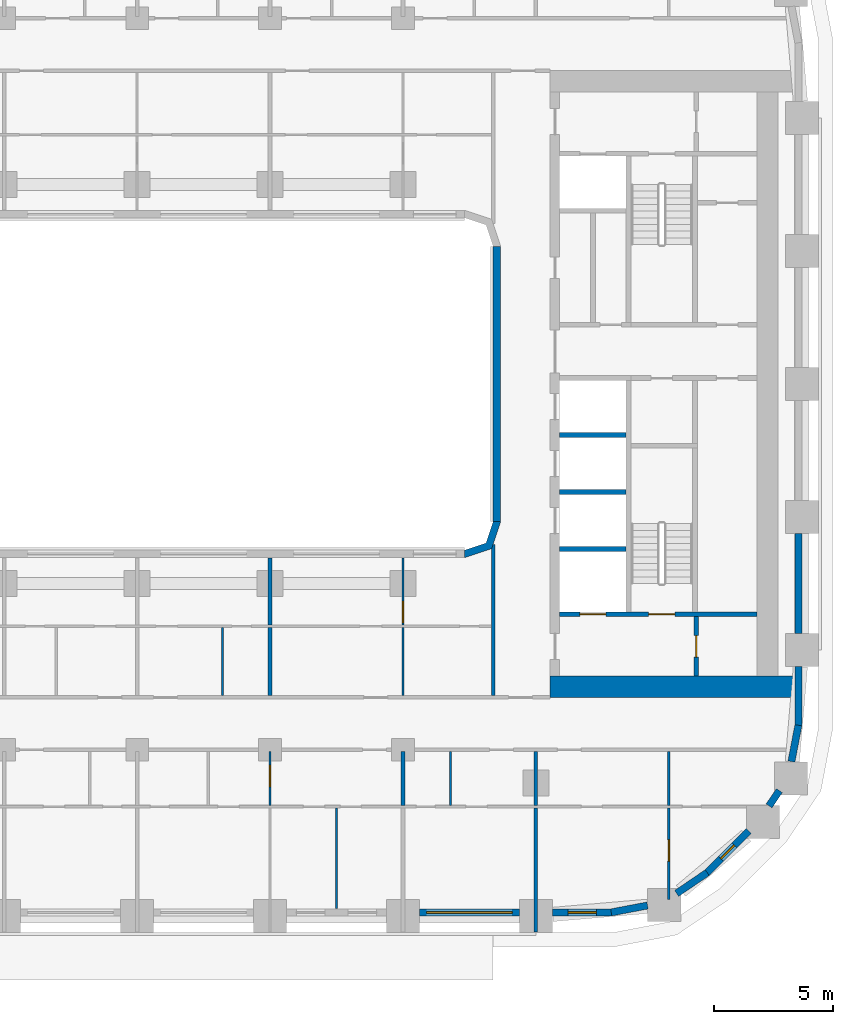
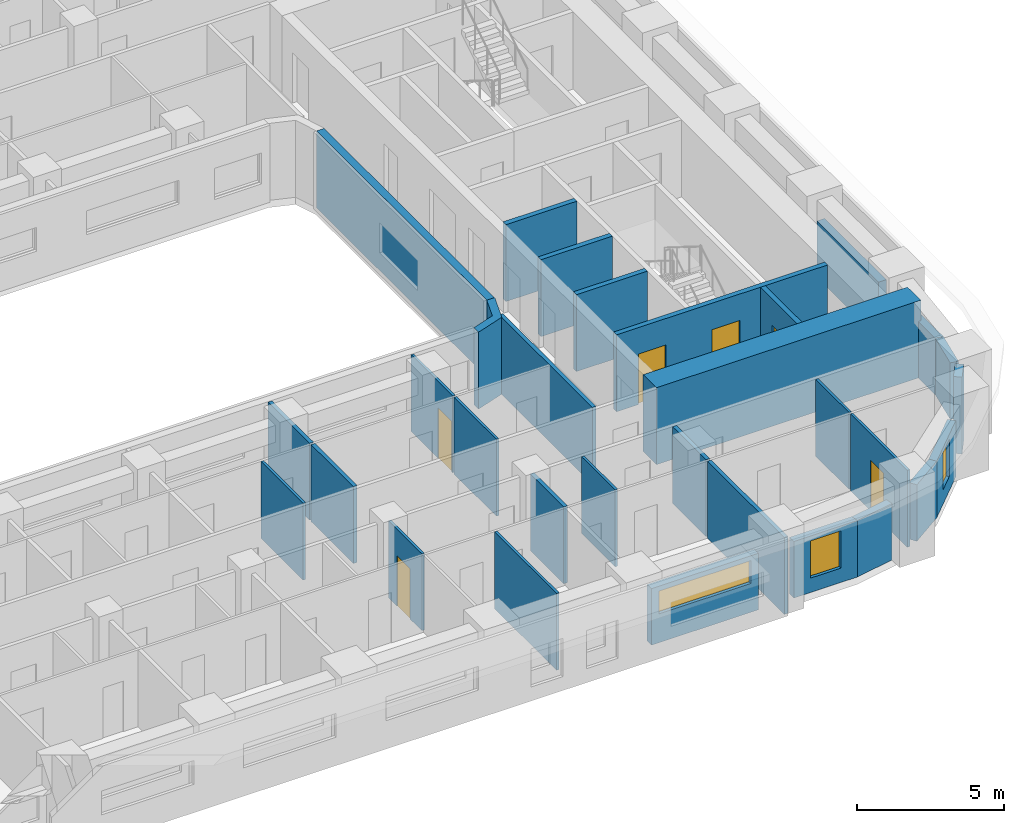
# One storey, part 6 of 22: 31 walls, 6 doors, 3 windows, 9 openings.
"""IFC4 building model written with IfcOpenShell, lengths in metres."""

import ifcopenshell
import ifcopenshell.guid

model = None  # the IFC model being written
_history = None  # IfcOwnerHistory: only IFC2X3 demands one
_inside = {}  # id of a spatial element -> (the spatial element, [elements in it])
_under = {}  # id of a project, library or spatial element -> (it, [spatial elements below it])
_declared = {}  # id of a project -> (the project, [libraries it declares])
_typed = {}  # id of a type object -> (the type object, [elements of that type])
_made_of = {}  # id of a material, layer set ... -> (it, [elements and type objects made of it])


def new_model(schema):
    """Start an empty IFC model of exactly this schema.

    Asked for "IFC4X3", IfcOpenShell would pick the latest addendum, in which some entities
    have other attributes; the version numbers below select the first issue.
    IFC2X3 requires an IfcOwnerHistory on every rooted entity: one is made here for all.
    """
    global model, _history
    if schema == "IFC4X3":
        model = ifcopenshell.file(schema_version=(4, 3, 0, 0))
    else:
        model = ifcopenshell.file(schema=schema)
    _inside.clear()
    _under.clear()
    _declared.clear()
    _typed.clear()
    _made_of.clear()
    _history = None
    if model.schema == "IFC2X3":
        org = make("IfcOrganization", Name="unknown")
        user = make(
            "IfcPersonAndOrganization",
            ThePerson=make("IfcPerson", FamilyName="unknown"),
            TheOrganization=org,
        )
        app = make(
            "IfcApplication",
            ApplicationDeveloper=org,
            Version="unknown",
            ApplicationFullName="unknown",
            ApplicationIdentifier="unknown",
        )
        _history = make(
            "IfcOwnerHistory",
            OwningUser=user,
            OwningApplication=app,
            ChangeAction="ADDED",
            CreationDate=0,
        )
    return model


def make(cls, **values):
    """One entity of the class cls with the attributes given. An attribute that is None is left unset."""
    return model.create_entity(
        cls, **{name: value for name, value in values.items() if value is not None}
    )


def rooted(cls, **values):
    """An entity with a GlobalId (a new one), such as an element, a storey or a relation."""
    return make(cls, GlobalId=ifcopenshell.guid.new(), OwnerHistory=_history, **values)


def si_unit(unit_type, name, prefix=None):
    """IfcSIUnit, for example si_unit("LENGTHUNIT", "METRE", prefix="MILLI")."""
    return make("IfcSIUnit", UnitType=unit_type, Prefix=prefix, Name=name)


def assignment(units):
    """IfcUnitAssignment: the units of a project."""
    return None if units is None else make("IfcUnitAssignment", Units=units)


def point(xyz):
    """IfcCartesianPoint."""
    return None if xyz is None else make("IfcCartesianPoint", Coordinates=xyz)


def direction(xyz):
    """IfcDirection."""
    return None if xyz is None else make("IfcDirection", DirectionRatios=xyz)


def frame(location, z_axis=None, x_axis=None):
    """IfcAxis2Placement3D, a coordinate frame: its origin and axes. An axis left out is left unset."""
    return make(
        "IfcAxis2Placement3D",
        Location=point(location),
        Axis=direction(z_axis),
        RefDirection=direction(x_axis),
    )


def frame_2d(location, x_axis=None):
    """IfcAxis2Placement2D, a coordinate frame in the plane: its origin and x axis."""
    return make(
        "IfcAxis2Placement2D", Location=point(location), RefDirection=direction(x_axis)
    )


def origin():
    """The frame at (0, 0, 0) with its axes left unset."""
    return frame((0.0, 0.0, 0.0))


def place(relative_to, where):
    """IfcLocalPlacement: puts the frame where relative to a parent placement (None: the world)."""
    return make(
        "IfcLocalPlacement", PlacementRelTo=relative_to, RelativePlacement=where
    )


def context(
    kind, dimensions, precision=None, world=None, true_north=None, identifier=None
):
    """IfcGeometricRepresentationContext, for example the 3D "Model" context."""
    return make(
        "IfcGeometricRepresentationContext",
        ContextIdentifier=identifier,
        ContextType=kind,
        CoordinateSpaceDimension=dimensions,
        Precision=precision,
        WorldCoordinateSystem=world,
        TrueNorth=true_north,
    )


def subcontext(parent, identifier, kind, view, scale=None):
    """IfcGeometricRepresentationSubContext, for example "Body" below "Model"."""
    return make(
        "IfcGeometricRepresentationSubContext",
        ContextIdentifier=identifier,
        ContextType=kind,
        ParentContext=parent,
        TargetScale=scale,
        TargetView=view,
    )


def project(units=None, contexts=None):
    """IfcProject with its units and contexts."""
    return rooted(
        "IfcProject",
        Name="project",
        RepresentationContexts=contexts,
        UnitsInContext=assignment(units),
    )


def spatial(cls, under=None, at=None, **own):
    """A site, building, storey or space (cls), placed at a placement, below another one or the project."""
    s = rooted(cls, ObjectPlacement=at, **own)
    if under is not None:
        _under.setdefault(under.id(), (under, []))[1].append(s)
    return s


def polyline(points):
    """IfcPolyline through the points."""
    return make("IfcPolyline", Points=[point(p) for p in points])


def profile(cls, at=None, kind="AREA", **sizes):
    """A parametric profile (cls). Its sizes go by their IFC names, for example OverallWidth=200.0."""
    return make(cls, ProfileType=kind, Position=at, **sizes)


def rectangle(**sizes):
    """IfcRectangleProfileDef."""
    return profile("IfcRectangleProfileDef", **sizes)


def outline(outer, holes=None, kind="AREA"):
    """IfcArbitraryClosedProfileDef: a profile drawn as a closed curve; with holes, ...WithVoids."""
    if holes is None:
        return make("IfcArbitraryClosedProfileDef", ProfileType=kind, OuterCurve=outer)
    return make(
        "IfcArbitraryProfileDefWithVoids",
        ProfileType=kind,
        OuterCurve=outer,
        InnerCurves=holes,
    )


def extrude(swept, where, along, depth):
    """IfcExtrudedAreaSolid: the profile swept, set in the frame where, extruded along a direction by depth."""
    return make(
        "IfcExtrudedAreaSolid",
        SweptArea=swept,
        Position=where,
        ExtrudedDirection=direction(along),
        Depth=depth,
    )


def shape(context_of_items, identifier, shape_type, items):
    """IfcShapeRepresentation: the items that make up one representation, for example the "Body"."""
    return make(
        "IfcShapeRepresentation",
        ContextOfItems=context_of_items,
        RepresentationIdentifier=identifier,
        RepresentationType=shape_type,
        Items=items,
    )


def material(Name=None, Category=None):
    """IfcMaterial."""
    return make("IfcMaterial", Name=Name, Category=Category)


def layer(
    of_material, thickness, ventilated=None, Name=None, Category=None, Priority=None
):
    """IfcMaterialLayer: one layer of a wall or slab, of a material (None: an air gap)."""
    return make(
        "IfcMaterialLayer",
        Material=of_material,
        LayerThickness=thickness,
        IsVentilated=ventilated,
        Name=Name,
        Category=Category,
        Priority=Priority,
    )


def layer_set(layers, Name=None):
    """IfcMaterialLayerSet."""
    return make("IfcMaterialLayerSet", MaterialLayers=layers, LayerSetName=Name)


def made_of(thing, what):
    """Note that an element or type object is made of a material, layer set ...; save() writes the relation."""
    if what is not None:
        _made_of.setdefault(what.id(), (what, []))[1].append(thing)
    return thing


def type_object(cls, material=None, **own):
    """A type object (cls), such as IfcWallType, which elements share."""
    return made_of(rooted(cls, **own), material)


def element(
    cls,
    number,
    at=None,
    inside=None,
    cuts=None,
    type_object=None,
    material=None,
    context=None,
    identifier="Body",
    shape_type=None,
    held_by="IfcProductDefinitionShape",
    body=None,
    shapes=None,
    **own,
):
    """One element of the class cls, such as IfcWall. Its Tag is "e" and its number.

    at: its placement. inside: the storey or other place that contains it. cuts: it is an
    opening in that element (IfcRelVoidsElement). A single representation is given by context,
    identifier, shape_type and body (its items); several are given by shapes. held_by: the class
    of the entity that holds the representations. save() writes the other relations.
    """
    e = rooted(cls, Tag="e%d" % number, ObjectPlacement=at, **own)
    if body is not None:
        shapes = [shape(context, identifier, shape_type, body)]
    if shapes is not None:
        e.Representation = make(held_by, Representations=shapes)
    if inside is not None:
        _inside.setdefault(inside.id(), (inside, []))[1].append(e)
    if cuts is not None:
        rooted(
            "IfcRelVoidsElement", RelatingBuildingElement=cuts, RelatedOpeningElement=e
        )
    if type_object is not None:
        _typed.setdefault(type_object.id(), (type_object, []))[1].append(e)
    return made_of(e, material)


def fill(opening, filler):
    """IfcRelFillsElement: the door or window that sits in an opening."""
    return rooted(
        "IfcRelFillsElement",
        RelatingOpeningElement=opening,
        RelatedBuildingElement=filler,
    )


def aggregate(whole, parts):
    """IfcRelAggregates: a whole, such as a stair, and the parts it consists of."""
    return rooted("IfcRelAggregates", RelatingObject=whole, RelatedObjects=parts)


def save(model, path):
    """Write the relations noted so far, then the file.

    IfcRelAggregates (storeys below a building ...), IfcRelContainedInSpatialStructure (elements
    in a storey), IfcRelDefinesByType, IfcRelAssociatesMaterial and IfcRelDeclares: one each for
    every whole, place, type object, material and project.
    """
    for whole, parts in _under.values():
        aggregate(whole, parts)
    for where, things in _inside.values():
        rooted(
            "IfcRelContainedInSpatialStructure",
            RelatedElements=things,
            RelatingStructure=where,
        )
    for kind, things in _typed.values():
        rooted("IfcRelDefinesByType", RelatedObjects=things, RelatingType=kind)
    for what, things in _made_of.values():
        rooted("IfcRelAssociatesMaterial", RelatedObjects=things, RelatingMaterial=what)
    for by, libraries in _declared.values():
        rooted("IfcRelDeclares", RelatingContext=by, RelatedDefinitions=libraries)
    model.write(path)


model = new_model("IFC4")

# Units and contexts
model_context = context("Model", 3, precision=1e-05, world=origin(), true_north=direction((0.0, 1.0)))
body_context = subcontext(model_context, "Body", "Model", "MODEL_VIEW")
ifc_project = project(units=[si_unit("LENGTHUNIT", "METRE"), si_unit("AREAUNIT", "SQUARE_METRE"), si_unit("VOLUMEUNIT", "CUBIC_METRE"), si_unit("PLANEANGLEUNIT", "RADIAN"), si_unit("MASSUNIT", "GRAM", prefix="KILO")], contexts=[model_context])

# Site, building, storey
site_placement = place(None, origin())
site = spatial("IfcSite", under=ifc_project, at=site_placement, CompositionType="ELEMENT")
building_placement = place(site_placement, origin())
building = spatial("IfcBuilding", under=site, at=building_placement, Name="Kiln Ring Residences", CompositionType="ELEMENT")
storey_placement = place(building_placement, frame((0.0, 0.0, 62.0)))
storey = spatial("IfcBuildingStorey", under=building, at=storey_placement, Name="L15", CompositionType="ELEMENT", Elevation=62.0)

# Wall, opening, door
ifc_material_1 = material(Name="Gypsum board on steel studs", Category="steel")
ifc_layer_1 = layer(ifc_material_1, 0.199951171875)
ifc_layer_set_1 = layer_set([ifc_layer_1], Name="CORE-PARTITION-200")
wall_type_1 = type_object("IfcWallType", Name="CORE-PARTITION-200", PredefinedType="PARTITIONING", material=ifc_layer_set_1)
wall_1_placement = place(storey_placement, frame((23.550048828125, -12.300048828125, 0.0), z_axis=(0.0, 0.0, 1.0), x_axis=(0.0, 1.0, 0.0)))
wall_1 = element("IfcWall", 1, at=wall_1_placement, inside=storey, type_object=wall_type_1, Name="Core partition east L15 5", PredefinedType="PARTITIONING", context=body_context, shape_type="SweptSolid", body=[
    extrude(rectangle(XDim=2.5, YDim=0.199951171875, at=frame_2d((1.25, 0.0))), origin(), (0.0, 0.0, 1.0), 3.199951171875),
])
opening_1_placement = place(wall_1_placement, frame((0.800048828125, 0.0, 0.0)))
opening_1 = element("IfcOpeningElement", 2, at=opening_1_placement, cuts=wall_1, Name="Opening L15-CE11", PredefinedType="OPENING", context=body_context, shape_type="SweptSolid", body=[
    extrude(rectangle(XDim=0.89990234375, YDim=2.10009765625, at=frame_2d((0.449951171875, 1.050048828125))), frame((0.0, 0.10986328125, 0.0), z_axis=(0.0, -1.0, 0.0), x_axis=(1.0, 0.0, 0.0)), (0.0, 0.0, 1.0), 0.219970703125),
])
ifc_material_2 = material(Name="Steel door leaf", Category="steel")
door_type_1 = type_object("IfcDoorType", Name="CORE-DOOR-ROOM", OperationType="SINGLE_SWING_LEFT", PredefinedType="DOOR", material=ifc_material_2)
door_1_placement = place(opening_1_placement, origin())
door_1 = element("IfcDoor", 3, at=door_1_placement, inside=storey, type_object=door_type_1, Name="Store L15-CE11", OperationType="SINGLE_SWING_RIGHT", OverallHeight=2.10009765625, OverallWidth=0.89990234375, PredefinedType="DOOR", context=body_context, shape_type="SweptSolid", body=[
    extrude(rectangle(XDim=0.89990234375, YDim=2.10009765625, at=frame_2d((0.449951171875, 1.050048828125))), frame((0.0, 0.02490234375, 0.0), z_axis=(0.0, -1.0, 0.0), x_axis=(1.0, 0.0, 0.0)), (0.0, 0.0, 1.0), 0.050048828125),
])
fill(opening_1, door_1)

# Walls
ifc_material_3 = material(Name="Gypsum shaft wall system")
ifc_layer_2 = layer(ifc_material_3, 0.199951171875)
ifc_layer_set_2 = layer_set([ifc_layer_2], Name="CORE-SHAFT-WALL-200")
wall_type_2 = type_object("IfcWallType", Name="CORE-SHAFT-WALL-200", PredefinedType="PARTITIONING", material=ifc_layer_set_2)
for number, where, z_axis, x_axis, name in (
    (4, (17.800048828125, -6.949951171875, 0.0), (0.0, 0.0, 1.0), (1.0, 0.0, 0.0), "Core partition east L15 7"),
    (5, (17.800048828125, -4.550048828125, 0.0), (0.0, 0.0, 1.0), (1.0, 0.0, 0.0), "Core partition east L15 8"),
    (6, (17.800048828125, -2.14990234375, 0.0), (0.0, 0.0, 1.0), (1.0, 0.0, 0.0), "Core partition east L15 9"),
):
    element("IfcWall", number, at=place(storey_placement, frame(where, z_axis=z_axis, x_axis=x_axis)), inside=storey, type_object=wall_type_2, Name=name, PredefinedType="PARTITIONING", context=body_context, shape_type="SweptSolid", body=[
        extrude(rectangle(XDim=2.800048828125, YDim=0.199951171875, at=frame_2d((1.39990234375, 0.0))), origin(), (0.0, 0.0, 1.0), 3.199951171875),
    ])

# Wall, openings, doors
ifc_material_4 = material(Name="Concrete C40/50", Category="concrete")
ifc_layer_3 = layer(ifc_material_4, 0.199951171875)
ifc_layer_set_3 = layer_set([ifc_layer_3], Name="CORE-WALL-RC200")
wall_type_3 = type_object("IfcWallType", Name="CORE-WALL-RC200", PredefinedType="SHEAR", material=ifc_layer_set_3)
wall_2_placement = place(storey_placement, frame((17.800048828125, -9.699951171875, 0.0), z_axis=(0.0, 0.0, 1.0), x_axis=(1.0, 0.0, 0.0)))
wall_2 = element("IfcWall", 7, at=wall_2_placement, inside=storey, type_object=wall_type_3, Name="Core wall east L15 8", PredefinedType="SHEAR", context=body_context, shape_type="SweptSolid", body=[
    extrude(rectangle(XDim=8.300048828125, YDim=0.199951171875, at=frame_2d((4.14990234375, 0.0))), origin(), (0.0, 0.0, 1.0), 3.199951171875),
])
opening_2_placement = place(wall_2_placement, frame((0.85009765625, 0.0, 0.0)))
opening_2 = element("IfcOpeningElement", 8, at=opening_2_placement, cuts=wall_2, Name="Opening L15-CE01", PredefinedType="OPENING", context=body_context, shape_type="SweptSolid", body=[
    extrude(rectangle(XDim=1.10009765625, YDim=2.10009765625, at=frame_2d((0.550048828125, 1.050048828125))), frame((0.0, 0.10986328125, 0.0), z_axis=(0.0, -1.0, 0.0), x_axis=(1.0, 0.0, 0.0)), (0.0, 0.0, 1.0), 0.219970703125),
])
opening_3_placement = place(wall_2_placement, frame((3.75, 0.0, 0.0)))
opening_3 = element("IfcOpeningElement", 9, at=opening_3_placement, cuts=wall_2, Name="Opening L15-CE13", PredefinedType="OPENING", context=body_context, shape_type="SweptSolid", body=[
    extrude(rectangle(XDim=1.10009765625, YDim=2.10009765625, at=frame_2d((0.550048828125, 1.050048828125))), frame((0.0, 0.10986328125, 0.0), z_axis=(0.0, -1.0, 0.0), x_axis=(1.0, 0.0, 0.0)), (0.0, 0.0, 1.0), 0.219970703125),
])
ifc_material_5 = material(Name="Steel door leaf", Category="steel")
door_type_2 = type_object("IfcDoorType", Name="CORE-DOOR-LD", OperationType="DOUBLE_DOOR_SLIDING", PredefinedType="DOOR", material=ifc_material_5)
door_2_placement = place(opening_2_placement, origin())
door_2 = element("IfcDoor", 10, at=door_2_placement, inside=storey, type_object=door_type_2, Name="LD E-SV L15-CE01", OperationType="DOUBLE_DOOR_SLIDING", OverallHeight=2.10009765625, OverallWidth=1.10009765625, PredefinedType="DOOR", context=body_context, shape_type="SweptSolid", body=[
    extrude(rectangle(XDim=1.10009765625, YDim=2.10009765625, at=frame_2d((0.550048828125, 1.050048828125))), frame((0.0, 0.02490234375, 0.0), z_axis=(0.0, -1.0, 0.0), x_axis=(1.0, 0.0, 0.0)), (0.0, 0.0, 1.0), 0.050048828125),
])
fill(opening_2, door_2)
ifc_material_6 = material(Name="Steel door leaf", Category="steel")
door_type_3 = type_object("IfcDoorType", Name="CORE-DOOR-STAIR", OperationType="SINGLE_SWING_LEFT", PredefinedType="DOOR", material=ifc_material_6)
door_3_placement = place(opening_3_placement, origin())
door_3 = element("IfcDoor", 11, at=door_3_placement, inside=storey, type_object=door_type_3, Name="Stair E-STS L15-CE13", OperationType="SINGLE_SWING_LEFT", OverallHeight=2.10009765625, OverallWidth=1.10009765625, PredefinedType="DOOR", context=body_context, shape_type="SweptSolid", body=[
    extrude(rectangle(XDim=1.10009765625, YDim=2.10009765625, at=frame_2d((0.550048828125, 1.050048828125))), frame((0.0, 0.02490234375, 0.0), z_axis=(0.0, -1.0, 0.0), x_axis=(1.0, 0.0, 0.0)), (0.0, 0.0, 1.0), 0.050048828125),
])
fill(opening_3, door_3)

# Wall
ifc_material_7 = material(Name="Concrete C60/75", Category="concrete")
ifc_layer_4 = layer(ifc_material_7, 0.89990234375)
ifc_layer_set_4 = layer_set([ifc_layer_4], Name="CORE-WALL-RC900")
wall_type_4 = type_object("IfcWallType", Name="CORE-WALL-RC900", PredefinedType="SHEAR", material=ifc_layer_set_4)
wall_3_placement = place(storey_placement, frame((17.39990234375, -12.75, 0.0), z_axis=(0.0, 0.0, 1.0), x_axis=(1.0, 0.0, 0.0)))
element("IfcWall", 12, at=wall_3_placement, inside=storey, type_object=wall_type_4, Name="Core wall east L15 5", PredefinedType="SHEAR", context=body_context, shape_type="SweptSolid", body=[
    extrude(rectangle(XDim=10.400146484375, YDim=0.89990234375, at=frame_2d((5.2001953125, 0.0))), origin(), (0.0, 0.0, 1.0), 3.199951171875),
])

# Wall, opening, window
ifc_material_8 = material(Name="Brick masonry, dark clay brick", Category="masonry")
ifc_layer_5 = layer(ifc_material_8, 0.300048828125)
ifc_layer_set_5 = layer_set([ifc_layer_5], Name="EW-300 BRICK WALL")
wall_type_5 = type_object("IfcWallType", Name="EW-300 BRICK WALL", PredefinedType="SOLIDWALL", material=ifc_layer_set_5)
wall_4_placement = place(storey_placement, frame((11.89990234375, -22.25, 0.0), z_axis=(0.0, 0.0, 1.0), x_axis=(1.0, 0.0, 0.0)))
wall_4 = element("IfcWall", 13, at=wall_4_placement, inside=storey, type_object=wall_type_5, Name="Facade wall L15 10", PredefinedType="SOLIDWALL", context=body_context, shape_type="SweptSolid", body=[
    extrude(rectangle(XDim=4.2001953125, YDim=0.300048828125, at=frame_2d((2.10009765625, 0.0))), origin(), (0.0, 0.0, 1.0), 2.35009765625),
])
opening_4_placement = place(wall_4_placement, frame((0.300048828125, 0.0, 1.199951171875)))
opening_4 = element("IfcOpeningElement", 14, at=opening_4_placement, cuts=wall_4, Name="Opening W4", PredefinedType="OPENING", context=body_context, shape_type="SweptSolid", body=[
    extrude(rectangle(XDim=3.60009765625, YDim=0.949951171875, at=frame_2d((1.800048828125, 0.47509765625))), frame((0.0, 0.159912109375, 0.0), z_axis=(0.0, -1.0, 0.0), x_axis=(1.0, 0.0, 0.0)), (0.0, 0.0, 1.0), 0.320068359375),
])
ifc_material_9 = material(Name="Aluminium frame with double glazing", Category="aluminium")
window_type_1 = type_object("IfcWindowType", Name="WINDOW 3600 x 950", PartitioningType="SINGLE_PANEL", PredefinedType="WINDOW", material=ifc_material_9)
window_1_placement = place(opening_4_placement, origin())
window_1 = element("IfcWindow", 15, at=window_1_placement, inside=storey, type_object=window_type_1, Name="Window L15 9", OverallHeight=0.949951171875, OverallWidth=3.60009765625, PartitioningType="SINGLE_PANEL", PredefinedType="WINDOW", context=body_context, shape_type="SweptSolid", body=[
    extrude(rectangle(XDim=3.60009765625, YDim=0.949951171875, at=frame_2d((1.800048828125, 0.47509765625))), frame((0.0, 0.030029296875, 0.0), z_axis=(0.0, -1.0, 0.0), x_axis=(1.0, 0.0, 0.0)), (0.0, 0.0, 1.0), 0.06005859375),
])
fill(opening_4, window_1)

wall_5_placement = place(storey_placement, frame((17.5, -22.25, 0.0), z_axis=(0.0, 0.0, 1.0), x_axis=(1.0, 0.0, 0.0)))
wall_5 = element("IfcWall", 16, at=wall_5_placement, inside=storey, type_object=wall_type_5, Name="Facade wall L15 11", PredefinedType="SOLIDWALL", context=body_context, shape_type="SweptSolid", body=[
    extrude(rectangle(XDim=2.5, YDim=0.300048828125, at=frame_2d((1.25, 0.0))), origin(), (0.0, 0.0, 1.0), 2.35009765625),
])
opening_5_placement = place(wall_5_placement, frame((0.64990234375, 0.0, 0.60009765625)))
opening_5 = element("IfcOpeningElement", 17, at=opening_5_placement, cuts=wall_5, Name="Opening W1", PredefinedType="OPENING", context=body_context, shape_type="SweptSolid", body=[
    extrude(rectangle(XDim=1.199951171875, YDim=1.550048828125, at=frame_2d((0.60009765625, 0.77490234375))), frame((0.0, 0.159912109375, 0.0), z_axis=(0.0, -1.0, 0.0), x_axis=(1.0, 0.0, 0.0)), (0.0, 0.0, 1.0), 0.320068359375),
])
ifc_material_10 = material(Name="Aluminium frame with double glazing", Category="aluminium")
window_type_2 = type_object("IfcWindowType", Name="WINDOW 1200 x 1550", PartitioningType="SINGLE_PANEL", PredefinedType="WINDOW", material=ifc_material_10)
window_2_placement = place(opening_5_placement, origin())
window_2 = element("IfcWindow", 18, at=window_2_placement, inside=storey, type_object=window_type_2, Name="Window L15 10", OverallHeight=1.550048828125, OverallWidth=1.199951171875, PartitioningType="SINGLE_PANEL", PredefinedType="WINDOW", context=body_context, shape_type="SweptSolid", body=[
    extrude(rectangle(XDim=1.199951171875, YDim=1.550048828125, at=frame_2d((0.60009765625, 0.77490234375))), frame((0.0, 0.030029296875, 0.0), z_axis=(0.0, -1.0, 0.0), x_axis=(1.0, 0.0, 0.0)), (0.0, 0.0, 1.0), 0.06005859375),
])
fill(opening_5, window_2)

# Walls
wall_6_placement = place(storey_placement, frame((19.971923828125, -22.252685546875, 0.0), z_axis=(0.0, 0.0, 1.0), x_axis=(0.982297345734, 0.187328386968, 0.0)))
element("IfcWall", 19, at=wall_6_placement, inside=storey, type_object=wall_type_5, Name="Facade wall L15 12", PredefinedType="SOLIDWALL", context=body_context, shape_type="SweptSolid", body=[
    extrude(rectangle(XDim=1.55615234375, YDim=0.300048828125, at=frame_2d((0.778076171875, 0.0))), origin(), (0.0, 0.0, 1.0), 2.35009765625),
])
wall_7_placement = place(storey_placement, frame((22.725830078125, -21.45361328125, 0.0), z_axis=(0.0, 0.0, 1.0), x_axis=(0.827019875346, 0.562172683241, 0.0)))
element("IfcWall", 20, at=wall_7_placement, inside=storey, type_object=wall_type_5, Name="Facade wall L15 13", PredefinedType="SOLIDWALL", context=body_context, shape_type="SweptSolid", body=[
    extrude(rectangle(XDim=1.555908203125, YDim=0.300048828125, at=frame_2d((0.77783203125, 0.0))), origin(), (0.0, 0.0, 1.0), 2.35009765625),
])

# Wall, opening, window
wall_8_placement = place(storey_placement, frame((23.990966796875, -20.596923828125, 0.0), z_axis=(0.0, 0.0, 1.0), x_axis=(0.707106781187, 0.707106781187, 0.0)))
wall_8 = element("IfcWall", 21, at=wall_8_placement, inside=storey, type_object=wall_type_5, Name="Facade wall L15 14", PredefinedType="SOLIDWALL", context=body_context, shape_type="SweptSolid", body=[
    extrude(rectangle(XDim=2.5, YDim=0.300048828125, at=frame_2d((1.25, 0.0))), origin(), (0.0, 0.0, 1.0), 2.35009765625),
])
opening_6_placement = place(wall_8_placement, frame((0.85009765625, 0.0, 0.60009765625)))
opening_6 = element("IfcOpeningElement", 22, at=opening_6_placement, cuts=wall_8, Name="Opening W5", PredefinedType="OPENING", context=body_context, shape_type="SweptSolid", body=[
    extrude(rectangle(XDim=0.800048828125, YDim=1.550048828125, at=frame_2d((0.39990234375, 0.77490234375))), frame((0.0, 0.159912109375, 0.0), z_axis=(0.0, -1.0, 0.0), x_axis=(1.0, 0.0, 0.0)), (0.0, 0.0, 1.0), 0.320068359375),
])
ifc_material_11 = material(Name="Aluminium frame with double glazing", Category="aluminium")
window_type_3 = type_object("IfcWindowType", Name="WINDOW 800 x 1550", PartitioningType="SINGLE_PANEL", PredefinedType="WINDOW", material=ifc_material_11)
window_3_placement = place(opening_6_placement, origin())
window_3 = element("IfcWindow", 23, at=window_3_placement, inside=storey, type_object=window_type_3, Name="Window L15 11", OverallHeight=1.550048828125, OverallWidth=0.800048828125, PartitioningType="SINGLE_PANEL", PredefinedType="WINDOW", context=body_context, shape_type="SweptSolid", body=[
    extrude(rectangle(XDim=0.800048828125, YDim=1.550048828125, at=frame_2d((0.39990234375, 0.77490234375))), frame((0.0, 0.030029296875, 0.0), z_axis=(0.0, -1.0, 0.0), x_axis=(1.0, 0.0, 0.0)), (0.0, 0.0, 1.0), 0.06005859375),
])
fill(opening_6, window_3)

# Walls
wall_9_placement = place(storey_placement, frame((26.61669921875, -17.7685546875, 0.0), z_axis=(0.0, 0.0, 1.0), x_axis=(0.562000651531, 0.827136788977, 0.0)))
element("IfcWall", 24, at=wall_9_placement, inside=storey, type_object=wall_type_5, Name="Facade wall L15 15", PredefinedType="SOLIDWALL", context=body_context, shape_type="SweptSolid", body=[
    extrude(rectangle(XDim=0.777099609375, YDim=0.300048828125, at=frame_2d((0.388671875, 0.0))), origin(), (0.0, 0.0, 1.0), 3.199951171875),
])
wall_10_placement = place(storey_placement, frame((27.56103515625, -15.900390625, 0.0), z_axis=(0.0, 0.0, 1.0), x_axis=(0.187328386968, 0.982297345734, 0.0)))
element("IfcWall", 25, at=wall_10_placement, inside=storey, type_object=wall_type_5, Name="Facade wall L15 16", PredefinedType="SOLIDWALL", context=body_context, shape_type="SweptSolid", body=[
    extrude(rectangle(XDim=1.55615234375, YDim=0.300048828125, at=frame_2d((0.778076171875, 0.0))), origin(), (0.0, 0.0, 1.0), 2.35009765625),
])
wall_11_placement = place(storey_placement, frame((27.85009765625, -14.39990234375, 0.0), z_axis=(0.0, 0.0, 1.0), x_axis=(0.0, 1.0, 0.0)))
element("IfcWall", 26, at=wall_11_placement, inside=storey, type_object=wall_type_5, Name="Facade wall L15 17", PredefinedType="SOLIDWALL", context=body_context, shape_type="SweptSolid", body=[
    extrude(rectangle(XDim=2.5, YDim=0.300048828125, at=frame_2d((1.25, 0.0))), origin(), (0.0, 0.0, 1.0), 2.35009765625),
])
wall_12_placement = place(storey_placement, frame((27.85009765625, -10.5, 0.0), z_axis=(0.0, 0.0, 1.0), x_axis=(0.0, 1.0, 0.0)))
element("IfcWall", 27, at=wall_12_placement, inside=storey, type_object=wall_type_5, Name="Facade wall L15 18", PredefinedType="SOLIDWALL", context=body_context, shape_type="SweptSolid", body=[
    extrude(rectangle(XDim=4.199951171875, YDim=0.300048828125, at=frame_2d((2.10009765625, 0.0))), origin(), (0.0, 0.0, 1.0), 2.35009765625),
])
wall_13_placement = place(storey_placement, frame((15.14990234375, 5.800048828125, 0.0), z_axis=(0.0, 0.0, 1.0), x_axis=(0.0, -1.0, 0.0)))
element("IfcWall", 28, at=wall_13_placement, inside=storey, type_object=wall_type_5, Name="Facade wall L15 51", PredefinedType="SOLIDWALL", context=body_context, shape_type="SweptSolid", body=[
    extrude(rectangle(XDim=11.60009765625, YDim=0.300048828125, at=frame_2d((5.800048828125, 0.0))), origin(), (0.0, 0.0, 1.0), 3.199951171875),
])
wall_14_placement = place(storey_placement, origin())
element("IfcWall", 29, at=wall_14_placement, inside=storey, type_object=wall_type_5, Name="Corner wall L15 3", PredefinedType="SOLIDWALL", context=body_context, shape_type="SweptSolid", body=[
    extrude(outline(polyline([(14.937255859375, -6.937255859375), (15.300048828125, -5.8486328125), (15.300048828125, -5.800048828125), (15.0, -5.800048828125), (14.699951171875, -6.699951171875), (13.800048828125, -7.0), (13.800048828125, -7.300048828125), (13.8486328125, -7.300048828125), (14.937255859375, -6.937255859375)])), origin(), (0.0, 0.0, 1.0), 3.199951171875),
])
ifc_material_12 = material(Name="Gypsum board on steel studs", Category="steel")
ifc_layer_6 = layer(ifc_material_12, 0.10009765625)
ifc_layer_set_6 = layer_set([ifc_layer_6], Name="PARTITION-100")
wall_type_6 = type_object("IfcWallType", Name="PARTITION-100", PredefinedType="PARTITIONING", material=ifc_layer_set_6)
wall_15_placement = place(storey_placement, frame((3.60009765625, -13.125, 0.0), z_axis=(0.0, 0.0, 1.0), x_axis=(0.0, 1.0, 0.0)))
element("IfcWall", 30, at=wall_15_placement, inside=storey, type_object=wall_type_6, Name="Partition 051", PredefinedType="PARTITIONING", context=body_context, shape_type="SweptSolid", body=[
    extrude(rectangle(XDim=2.875, YDim=0.10009765625, at=frame_2d((1.4375, 0.0))), origin(), (0.0, 0.0, 1.0), 3.199951171875),
])

# Wall, opening, door
wall_16_placement = place(storey_placement, frame((5.60009765625, -17.75, 0.0), z_axis=(0.0, 0.0, 1.0), x_axis=(0.0, 1.0, 0.0)))
wall_16 = element("IfcWall", 31, at=wall_16_placement, inside=storey, type_object=wall_type_6, Name="Partition 053", PredefinedType="PARTITIONING", context=body_context, shape_type="SweptSolid", body=[
    extrude(rectangle(XDim=2.27490234375, YDim=0.10009765625, at=frame_2d((1.137451171875, 0.0))), origin(), (0.0, 0.0, 1.0), 3.199951171875),
])
opening_7_placement = place(wall_16_placement, frame((0.799072265625, 0.0, 0.0)))
opening_7 = element("IfcOpeningElement", 32, at=opening_7_placement, cuts=wall_16, Name="Opening L15-D071", PredefinedType="OPENING", context=body_context, shape_type="SweptSolid", body=[
    extrude(rectangle(XDim=0.89990234375, YDim=2.10009765625, at=frame_2d((0.449951171875, 1.050048828125))), frame((0.0, 0.06005859375, 0.0), z_axis=(0.0, -1.0, 0.0), x_axis=(1.0, 0.0, 0.0)), (0.0, 0.0, 1.0), 0.1201171875),
])
ifc_material_13 = material(Name="Timber door leaf", Category="wood")
door_type_4 = type_object("IfcDoorType", Name="FLAT-DOOR-900-PL", OperationType="SINGLE_SWING_LEFT", PredefinedType="DOOR", material=ifc_material_13)
door_4_placement = place(opening_7_placement, origin())
door_4 = element("IfcDoor", 33, at=door_4_placement, inside=storey, type_object=door_type_4, Name="Door L15-D071", OperationType="SINGLE_SWING_LEFT", OverallHeight=2.10009765625, OverallWidth=0.89990234375, PredefinedType="DOOR", context=body_context, shape_type="SweptSolid", body=[
    extrude(rectangle(XDim=0.89990234375, YDim=2.10009765625, at=frame_2d((0.449951171875, 1.050048828125))), frame((0.0, 0.02490234375, 0.0), z_axis=(0.0, -1.0, 0.0), x_axis=(1.0, 0.0, 0.0)), (0.0, 0.0, 1.0), 0.050048828125),
])
fill(opening_7, door_4)

# Walls
wall_17_placement = place(storey_placement, frame((8.39990234375, -22.080078125, 0.0), z_axis=(0.0, 0.0, 1.0), x_axis=(0.0, 1.0, 0.0)))
element("IfcWall", 34, at=wall_17_placement, inside=storey, type_object=wall_type_6, Name="Partition 061", PredefinedType="PARTITIONING", context=body_context, shape_type="SweptSolid", body=[
    extrude(rectangle(XDim=4.22998046875, YDim=0.10009765625, at=frame_2d((2.114990234375, 0.0))), origin(), (0.0, 0.0, 1.0), 3.199951171875),
])
wall_18_placement = place(storey_placement, frame((11.199951171875, -13.125, 0.0), z_axis=(0.0, 0.0, 1.0), x_axis=(0.0, 1.0, 0.0)))
element("IfcWall", 35, at=wall_18_placement, inside=storey, type_object=wall_type_6, Name="Partition 062", PredefinedType="PARTITIONING", context=body_context, shape_type="SweptSolid", body=[
    extrude(rectangle(XDim=2.875, YDim=0.10009765625, at=frame_2d((1.4375, 0.0))), origin(), (0.0, 0.0, 1.0), 3.199951171875),
])

# Wall, opening, door
wall_19_placement = place(storey_placement, frame((11.199951171875, -10.14990234375, 0.0), z_axis=(0.0, 0.0, 1.0), x_axis=(0.0, 1.0, 0.0)))
wall_19 = element("IfcWall", 36, at=wall_19_placement, inside=storey, type_object=wall_type_6, Name="Partition 063", PredefinedType="PARTITIONING", context=body_context, shape_type="SweptSolid", body=[
    extrude(rectangle(XDim=2.829833984375, YDim=0.10009765625, at=frame_2d((1.4150390625, 0.0))), origin(), (0.0, 0.0, 1.0), 3.199951171875),
])
opening_8_placement = place(wall_19_placement, frame((0.10009765625, 0.0, 0.0)))
opening_8 = element("IfcOpeningElement", 37, at=opening_8_placement, cuts=wall_19, Name="Opening L15-D056", PredefinedType="OPENING", context=body_context, shape_type="SweptSolid", body=[
    extrude(rectangle(XDim=0.89990234375, YDim=2.10009765625, at=frame_2d((0.449951171875, 1.050048828125))), frame((0.0, 0.06005859375, 0.0), z_axis=(0.0, -1.0, 0.0), x_axis=(1.0, 0.0, 0.0)), (0.0, 0.0, 1.0), 0.1201171875),
])
door_5_placement = place(opening_8_placement, origin())
door_5 = element("IfcDoor", 38, at=door_5_placement, inside=storey, type_object=door_type_4, Name="Door L15-D056", OperationType="SINGLE_SWING_LEFT", OverallHeight=2.10009765625, OverallWidth=0.89990234375, PredefinedType="DOOR", context=body_context, shape_type="SweptSolid", body=[
    extrude(rectangle(XDim=0.89990234375, YDim=2.10009765625, at=frame_2d((0.449951171875, 1.050048828125))), frame((0.0, 0.02490234375, 0.0), z_axis=(0.0, -1.0, 0.0), x_axis=(1.0, 0.0, 0.0)), (0.0, 0.0, 1.0), 0.050048828125),
])
fill(opening_8, door_5)

# Wall
wall_20_placement = place(storey_placement, frame((13.199951171875, -17.75, 0.0), z_axis=(0.0, 0.0, 1.0), x_axis=(0.0, 1.0, 0.0)))
element("IfcWall", 39, at=wall_20_placement, inside=storey, type_object=wall_type_6, Name="Partition 070", PredefinedType="PARTITIONING", context=body_context, shape_type="SweptSolid", body=[
    extrude(rectangle(XDim=2.27490234375, YDim=0.10009765625, at=frame_2d((1.137451171875, 0.0))), origin(), (0.0, 0.0, 1.0), 3.199951171875),
])

# Wall, opening, door
wall_21_placement = place(storey_placement, frame((22.39990234375, -21.719970703125, 0.0), z_axis=(0.0, 0.0, 1.0), x_axis=(0.0, 1.0, 0.0)))
wall_21 = element("IfcWall", 40, at=wall_21_placement, inside=storey, type_object=wall_type_6, Name="Partition 078", PredefinedType="PARTITIONING", context=body_context, shape_type="SweptSolid", body=[
    extrude(rectangle(XDim=3.869873046875, YDim=0.10009765625, at=frame_2d((1.93505859375, 0.0))), origin(), (0.0, 0.0, 1.0), 3.199951171875),
])
opening_9_placement = place(wall_21_placement, frame((1.6220703125, 0.0, 0.0)))
opening_9 = element("IfcOpeningElement", 41, at=opening_9_placement, cuts=wall_21, Name="Opening L15-D082", PredefinedType="OPENING", context=body_context, shape_type="SweptSolid", body=[
    extrude(rectangle(XDim=0.89990234375, YDim=2.10009765625, at=frame_2d((0.449951171875, 1.050048828125))), frame((0.0, 0.06005859375, 0.0), z_axis=(0.0, -1.0, 0.0), x_axis=(1.0, 0.0, 0.0)), (0.0, 0.0, 1.0), 0.1201171875),
])
door_6_placement = place(opening_9_placement, origin())
door_6 = element("IfcDoor", 42, at=door_6_placement, inside=storey, type_object=door_type_4, Name="Door L15-D082", OperationType="SINGLE_SWING_RIGHT", OverallHeight=2.10009765625, OverallWidth=0.89990234375, PredefinedType="DOOR", context=body_context, shape_type="SweptSolid", body=[
    extrude(rectangle(XDim=0.89990234375, YDim=2.10009765625, at=frame_2d((0.449951171875, 1.050048828125))), frame((0.0, 0.02490234375, 0.0), z_axis=(0.0, -1.0, 0.0), x_axis=(1.0, 0.0, 0.0)), (0.0, 0.0, 1.0), 0.050048828125),
])
fill(opening_9, door_6)

# Walls
wall_22_placement = place(storey_placement, frame((22.39990234375, -17.75, 0.0), z_axis=(0.0, 0.0, 1.0), x_axis=(0.0, 1.0, 0.0)))
element("IfcWall", 43, at=wall_22_placement, inside=storey, type_object=wall_type_6, Name="Partition 079", PredefinedType="PARTITIONING", context=body_context, shape_type="SweptSolid", body=[
    extrude(rectangle(XDim=2.27490234375, YDim=0.10009765625, at=frame_2d((1.137451171875, 0.0))), origin(), (0.0, 0.0, 1.0), 3.199951171875),
])
ifc_material_14 = material(Name="Brick masonry partition", Category="masonry")
ifc_layer_7 = layer(ifc_material_14, 0.14990234375)
ifc_layer_set_7 = layer_set([ifc_layer_7], Name="PARTITION-150-ei60")
wall_type_7 = type_object("IfcWallType", Name="PARTITION-150-ei60", PredefinedType="PARTITIONING", material=ifc_layer_set_7)
wall_23_placement = place(storey_placement, frame((5.60009765625, -13.125, 0.0), z_axis=(0.0, 0.0, 1.0), x_axis=(0.0, 1.0, 0.0)))
element("IfcWall", 44, at=wall_23_placement, inside=storey, type_object=wall_type_7, Name="Partition 054", PredefinedType="PARTITIONING", context=body_context, shape_type="SweptSolid", body=[
    extrude(rectangle(XDim=2.875, YDim=0.14990234375, at=frame_2d((1.4375, 0.0))), origin(), (0.0, 0.0, 1.0), 3.199951171875),
])
wall_24_placement = place(storey_placement, frame((5.60009765625, -10.14990234375, 0.0), z_axis=(0.0, 0.0, 1.0), x_axis=(0.0, 1.0, 0.0)))
element("IfcWall", 45, at=wall_24_placement, inside=storey, type_object=wall_type_7, Name="Partition 055", PredefinedType="PARTITIONING", context=body_context, shape_type="SweptSolid", body=[
    extrude(rectangle(XDim=2.829833984375, YDim=0.14990234375, at=frame_2d((1.4150390625, 0.0))), origin(), (0.0, 0.0, 1.0), 3.199951171875),
])
wall_25_placement = place(storey_placement, frame((11.199951171875, -17.75, 0.0), z_axis=(0.0, 0.0, 1.0), x_axis=(0.0, 1.0, 0.0)))
element("IfcWall", 46, at=wall_25_placement, inside=storey, type_object=wall_type_7, Name="Partition 067", PredefinedType="PARTITIONING", context=body_context, shape_type="SweptSolid", body=[
    extrude(rectangle(XDim=2.27490234375, YDim=0.14990234375, at=frame_2d((1.137451171875, 0.0))), origin(), (0.0, 0.0, 1.0), 3.199951171875),
])
wall_26_placement = place(storey_placement, frame((15.0, -13.125, 0.0), z_axis=(0.0, 0.0, 1.0), x_axis=(0.0, 1.0, 0.0)))
element("IfcWall", 47, at=wall_26_placement, inside=storey, type_object=wall_type_7, Name="Partition 072", PredefinedType="PARTITIONING", context=body_context, shape_type="SweptSolid", body=[
    extrude(rectangle(XDim=6.356201171875, YDim=0.14990234375, at=frame_2d((3.17822265625, 0.0))), origin(), (0.0, 0.0, 1.0), 3.199951171875),
])
wall_27_placement = place(storey_placement, frame((16.800048828125, -23.080078125, 0.0), z_axis=(0.0, 0.0, 1.0), x_axis=(0.0, 1.0, 0.0)))
element("IfcWall", 48, at=wall_27_placement, inside=storey, type_object=wall_type_7, Name="Partition 074", PredefinedType="PARTITIONING", context=body_context, shape_type="SweptSolid", body=[
    extrude(rectangle(XDim=5.22998046875, YDim=0.14990234375, at=frame_2d((2.614990234375, 0.0))), origin(), (0.0, 0.0, 1.0), 3.199951171875),
])
wall_28_placement = place(storey_placement, frame((16.800048828125, -17.75, 0.0), z_axis=(0.0, 0.0, 1.0), x_axis=(0.0, 1.0, 0.0)))
element("IfcWall", 49, at=wall_28_placement, inside=storey, type_object=wall_type_7, Name="Partition 075", PredefinedType="PARTITIONING", context=body_context, shape_type="SweptSolid", body=[
    extrude(rectangle(XDim=2.27490234375, YDim=0.14990234375, at=frame_2d((1.137451171875, 0.0))), origin(), (0.0, 0.0, 1.0), 3.199951171875),
])

save(model, "model.ifc")
